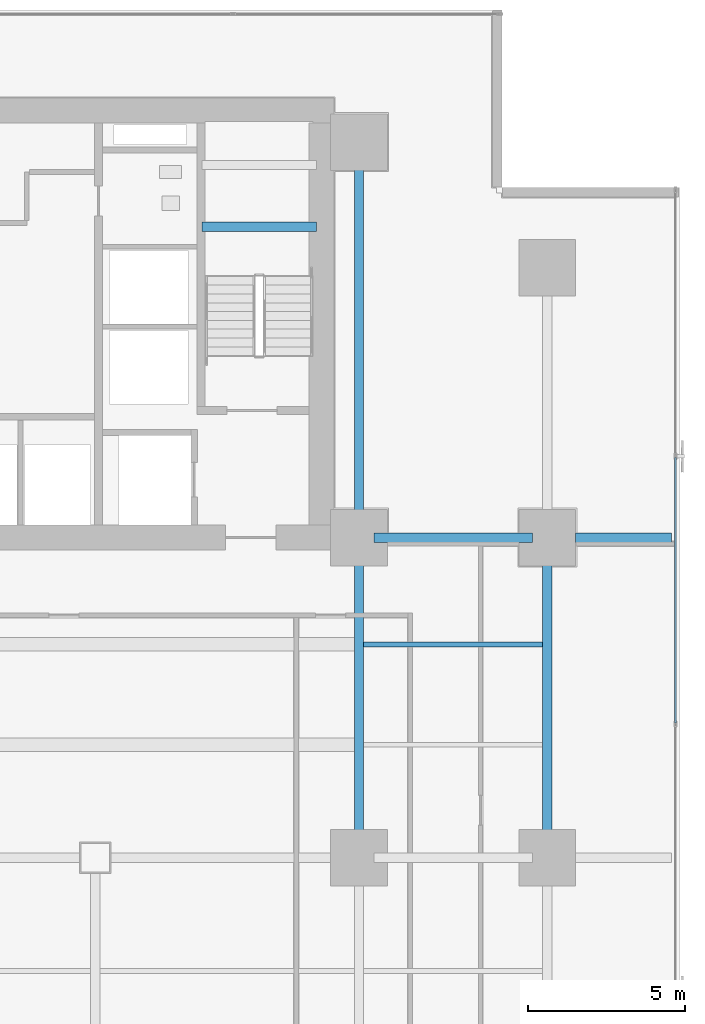
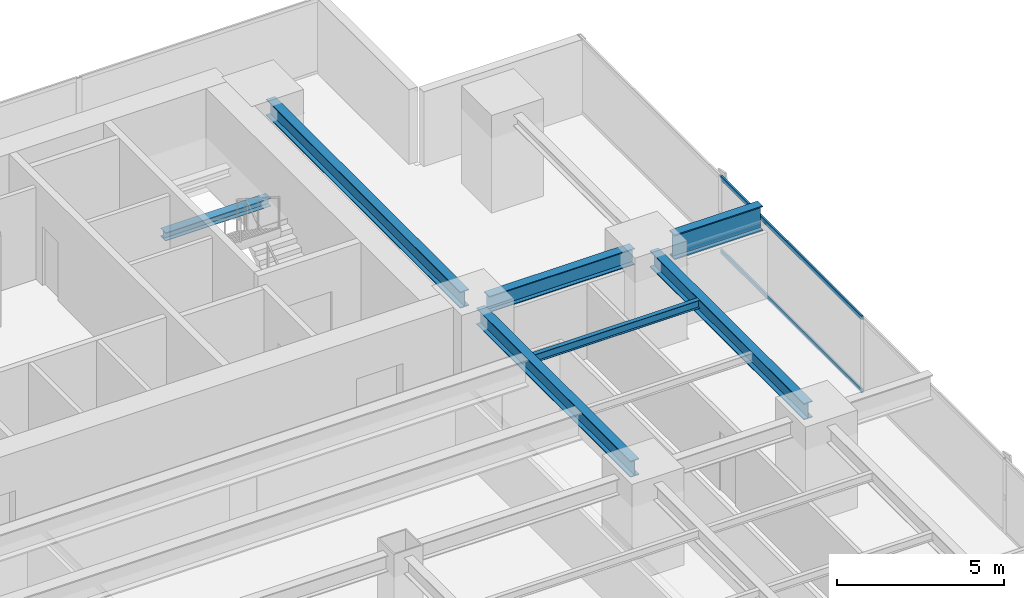
# One storey, part 20 of 34: 7 beams, 2 members, 1 element without a shape of its own.
"""IFC4 building model written with IfcOpenShell, lengths in metres."""

from ifc_helpers import new_model, si_unit, direction, frame, origin, origin_2d, place, context, subcontext, project, spatial, hollow_rectangle, i_section, extrude, source, transform, mapped, material, layer, layer_set, material_profile, profile_set, type_object, element, aggregate, save


model = new_model("IFC4")

# Units and contexts
model_context = context("Model", 3, precision=1e-05, world=origin(), true_north=direction((0.0, 1.0)))
body_context = subcontext(model_context, "Body", "Model", "MODEL_VIEW")
ifc_project = project(units=[si_unit("LENGTHUNIT", "METRE"), si_unit("AREAUNIT", "SQUARE_METRE"), si_unit("VOLUMEUNIT", "CUBIC_METRE"), si_unit("PLANEANGLEUNIT", "RADIAN"), si_unit("MASSUNIT", "GRAM", prefix="KILO")], contexts=[model_context])

# Site, building, storey
site_placement = place(None, origin())
site = spatial("IfcSite", under=ifc_project, at=site_placement, CompositionType="ELEMENT")
building_placement = place(site_placement, origin())
building = spatial("IfcBuilding", under=site, at=building_placement, Name="Sumidabori Civic Tower", CompositionType="ELEMENT")
storey_placement = place(building_placement, frame((0.0, 0.0, 34.39990234375)))
storey = spatial("IfcBuildingStorey", under=building, at=storey_placement, Name="L08", CompositionType="ELEMENT", Elevation=34.39990234375)

# Beams
ifc_material_1 = material(Name="Steel SN490", Category="steel")
ifc_material_profile_1 = material_profile(ifc_material_1, i_section(OverallWidth=0.300048828125, OverallDepth=0.300048828125, WebThickness=0.010986328125, FlangeThickness=0.01904296875, at=origin_2d()), Name="HE 300 B")
ifc_profile_set_1 = profile_set([ifc_material_profile_1], Name="Steel SN490")
beam_type_1 = type_object("IfcBeamType", Name="BM-LDG-300", PredefinedType="BEAM", material=ifc_profile_set_1)
shared_shape_1 = source(origin(), body_context, "Body", "SweptSolid", [
    extrude(i_section(OverallWidth=0.300048828125, OverallDepth=0.300048828125, WebThickness=0.010986328125, FlangeThickness=0.01904296875, at=origin_2d()), origin(), (0.0, 0.0, 1.0), 3.64990234375),
])
beam_1_placement = place(storey_placement, frame((11.800048828125, 20.09765625, 1.4501953125), z_axis=(1.0, 0.0, 0.0), x_axis=(0.0, 1.0, 0.0)))
element("IfcBeam", 1, at=beam_1_placement, inside=storey, type_object=beam_type_1, Name="Stair ST-2 Landing Support Beam L08-1A", PredefinedType="BEAM", context=body_context, shape_type="MappedRepresentation", body=[
    mapped(shared_shape_1, transform((0.0, 0.0, 0.0), x_axis=(1.0, 0.0, 0.0), y_axis=(0.0, 1.0, 0.0), z_axis=(0.0, 0.0, 1.0), scale=1.0)),
])
ifc_material_profile_2 = material_profile(ifc_material_1, i_section(OverallWidth=0.300048828125, OverallDepth=0.60009765625, WebThickness=0.015380859375, FlangeThickness=0.030029296875, at=origin_2d()), Name="HE 600 B")
ifc_profile_set_2 = profile_set([ifc_material_profile_2], Name="Steel SN490")
beam_type_2 = type_object("IfcBeamType", Name="BM-GIRD-600", PredefinedType="BEAM", material=ifc_profile_set_2)
shared_shape_2 = source(origin(), body_context, "Body", "SweptSolid", [
    extrude(i_section(OverallWidth=0.300048828125, OverallDepth=0.60009765625, WebThickness=0.015380859375, FlangeThickness=0.030029296875, at=origin_2d()), origin(), (0.0, 0.0, 1.0), 5.0400390625),
])
beam_2_placement = place(storey_placement, frame((17.280029296875, 10.199951171875, 3.06005859375), z_axis=(1.0, 0.0, 0.0), x_axis=(0.0, 1.0, 0.0)))
element("IfcBeam", 2, at=beam_2_placement, inside=storey, type_object=beam_type_2, Name="Primary Girder L08 GX-20", PredefinedType="BEAM", context=body_context, shape_type="MappedRepresentation", body=[
    mapped(shared_shape_2, transform((0.0, 0.0, 0.0), x_axis=(1.0, 0.0, 0.0), y_axis=(0.0, 1.0, 0.0), z_axis=(0.0, 0.0, 1.0), scale=1.0)),
])
shared_shape_3 = source(origin(), body_context, "Body", "SweptSolid", [
    extrude(i_section(OverallWidth=0.300048828125, OverallDepth=0.60009765625, WebThickness=0.015380859375, FlangeThickness=0.030029296875, at=origin_2d()), origin(), (0.0, 0.0, 1.0), 9.239990234375),
])
for number, where, z_axis, x_axis, name in (
    (3, (16.800048828125, 0.47998046875, 3.06005859375), (0.0, 1.0, 0.0), (-1.0, 0.0, 0.0), "Primary Girder L08 GY-37"),
    (4, (22.800048828125, 0.47998046875, 3.06005859375), (0.0, 1.0, 0.0), (-1.0, 0.0, 0.0), "Primary Girder L08 GY-41"),
):
    element("IfcBeam", number, at=place(storey_placement, frame(where, z_axis=z_axis, x_axis=x_axis)), inside=storey, type_object=beam_type_2, Name=name, PredefinedType="BEAM", context=body_context, shape_type="MappedRepresentation", body=[
        mapped(shared_shape_3, transform((0.0, 0.0, 0.0), x_axis=(1.0, 0.0, 0.0), y_axis=(0.0, 1.0, 0.0), z_axis=(0.0, 0.0, 1.0), scale=1.0)),
    ])
shared_shape_4 = source(origin(), body_context, "Body", "SweptSolid", [
    extrude(i_section(OverallWidth=0.300048828125, OverallDepth=0.60009765625, WebThickness=0.015380859375, FlangeThickness=0.030029296875, at=origin_2d()), origin(), (0.0, 0.0, 1.0), 11.64013671875),
])
beam_3_placement = place(storey_placement, frame((16.800048828125, 10.679931640625, 3.06005859375), z_axis=(0.0, 1.0, 0.0), x_axis=(-1.0, 0.0, 0.0)))
element("IfcBeam", 5, at=beam_3_placement, inside=storey, type_object=beam_type_2, Name="Primary Girder L08 GY-38", PredefinedType="BEAM", context=body_context, shape_type="MappedRepresentation", body=[
    mapped(shared_shape_4, transform((0.0, 0.0, 0.0), x_axis=(1.0, 0.0, 0.0), y_axis=(0.0, 1.0, 0.0), z_axis=(0.0, 0.0, 1.0), scale=1.0)),
])
ifc_material_profile_3 = material_profile(ifc_material_1, i_section(OverallWidth=0.302001953125, OverallDepth=0.909912109375, WebThickness=0.02099609375, FlangeThickness=0.0400390625, at=origin_2d()), Name="HE 900 M")
ifc_profile_set_3 = profile_set([ifc_material_profile_3], Name="Steel SN490")
beam_type_3 = type_object("IfcBeamType", Name="BM-Z1-EDGE", PredefinedType="SPANDREL", material=ifc_profile_set_3)
shared_shape_5 = source(origin(), body_context, "Body", "SweptSolid", [
    extrude(i_section(OverallWidth=0.302001953125, OverallDepth=0.909912109375, WebThickness=0.02099609375, FlangeThickness=0.0400390625, at=origin_2d()), origin(), (0.0, 0.0, 1.0), 3.050048828125),
])
beam_4_placement = place(storey_placement, frame((23.699951171875, 10.199951171875, 2.905029296875), z_axis=(1.0, 0.0, 0.0), x_axis=(0.0, 1.0, 0.0)))
element("IfcBeam", 6, at=beam_4_placement, inside=storey, type_object=beam_type_3, Name="Perimeter Overhang Beam L08 E-47", PredefinedType="SPANDREL", context=body_context, shape_type="MappedRepresentation", body=[
    mapped(shared_shape_5, transform((0.0, 0.0, 0.0), x_axis=(1.0, 0.0, 0.0), y_axis=(0.0, 1.0, 0.0), z_axis=(0.0, 0.0, 1.0), scale=1.0)),
])
ifc_material_profile_4 = material_profile(ifc_material_1, i_section(OverallWidth=0.14990234375, OverallDepth=0.300048828125, WebThickness=0.007080078125, FlangeThickness=0.0107421875, at=origin_2d()), Name="IPE 300")
ifc_profile_set_4 = profile_set([ifc_material_profile_4], Name="Steel SN490")
beam_type_4 = type_object("IfcBeamType", Name="BM-JST-300", PredefinedType="JOIST", material=ifc_profile_set_4)
shared_shape_6 = source(origin(), body_context, "Body", "SweptSolid", [
    extrude(i_section(OverallWidth=0.14990234375, OverallDepth=0.300048828125, WebThickness=0.007080078125, FlangeThickness=0.0107421875, at=origin_2d()), origin(), (0.0, 0.0, 1.0), 5.699951171875),
])
beam_5_placement = place(storey_placement, frame((16.949951171875, 6.800048828125, 3.210205078125), z_axis=(1.0, 0.0, 0.0), x_axis=(0.0, 1.0, 0.0)))
element("IfcBeam", 7, at=beam_5_placement, inside=storey, type_object=beam_type_4, Name="Outer Bay Floor Joist L08 JSTO-56", PredefinedType="JOIST", context=body_context, shape_type="MappedRepresentation", body=[
    mapped(shared_shape_6, transform((0.0, 0.0, 0.0), x_axis=(1.0, 0.0, 0.0), y_axis=(0.0, 1.0, 0.0), z_axis=(0.0, 0.0, 1.0), scale=1.0)),
])

# Curtain wall, members
ifc_material_2 = material(Name="Anodised Bronze Aluminium AW-6063-T6", Category="aluminium")
ifc_layer = layer(ifc_material_2, 0.179931640625, Name="Anodised Bronze Aluminium AW-6063-T6")
ifc_layer_set = layer_set([ifc_layer], Name="Anodised Bronze Aluminium AW-6063-T6")
curtain_wall_type = type_object("IfcCurtainWallType", Name="CW-SYS-2", PredefinedType="NOTDEFINED", material=ifc_layer_set)
curtain_wall_placement = place(storey_placement, origin())
curtain_wall = element("IfcCurtainWall", 8, at=curtain_wall_placement, inside=storey, type_object=curtain_wall_type, Name="Curtain Wall CW:L08:R04", PredefinedType="NOTDEFINED")
ifc_material_profile_5 = material_profile(ifc_material_2, hollow_rectangle(XDim=0.06494140625, YDim=0.14990234375, WallThickness=0.0048828125, at=origin_2d()), Name="ALU TRANSOM 150x65")
ifc_profile_set_5 = profile_set([ifc_material_profile_5], Name="Anodised Bronze Aluminium AW-6063-T6")
member_type = type_object("IfcMemberType", Name="CW-TRN-150", PredefinedType="USERDEFINED", material=ifc_profile_set_5)
shared_shape_7 = source(origin(), body_context, "Body", "SweptSolid", [
    extrude(hollow_rectangle(XDim=0.06494140625, YDim=0.14990234375, WallThickness=0.0048828125, at=origin_2d()), origin(), (0.0, 0.0, 1.0), 8.4580078125),
])
member_1_placement = place(storey_placement, frame((26.8798828125, 4.299072265625, 0.03271484375), z_axis=(0.0, 1.0, 0.0), x_axis=(-1.0, 0.0, 0.0)))
member_1 = element("IfcMember", 9, at=member_1_placement, type_object=member_type, Name="CW-2 transom 4.1", ObjectType="TRANSOM", PredefinedType="USERDEFINED", context=body_context, shape_type="MappedRepresentation", body=[
    mapped(shared_shape_7, transform((0.0, 0.0, 0.0), x_axis=(1.0, 0.0, 0.0), y_axis=(0.0, 1.0, 0.0), z_axis=(0.0, 0.0, 1.0), scale=1.0)),
])
member_2_placement = place(storey_placement, frame((26.8798828125, 4.299072265625, 2.70751953125), z_axis=(0.0, 1.0, 0.0), x_axis=(-1.0, 0.0, 0.0)))
member_2 = element("IfcMember", 10, at=member_2_placement, type_object=member_type, Name="CW-2 transom 4.2", ObjectType="TRANSOM", PredefinedType="USERDEFINED", context=body_context, shape_type="MappedRepresentation", body=[
    mapped(shared_shape_7, transform((0.0, 0.0, 0.0), x_axis=(1.0, 0.0, 0.0), y_axis=(0.0, 1.0, 0.0), z_axis=(0.0, 0.0, 1.0), scale=1.0)),
])
aggregate(curtain_wall, [member_1, member_2])

save(model, "model.ifc")
